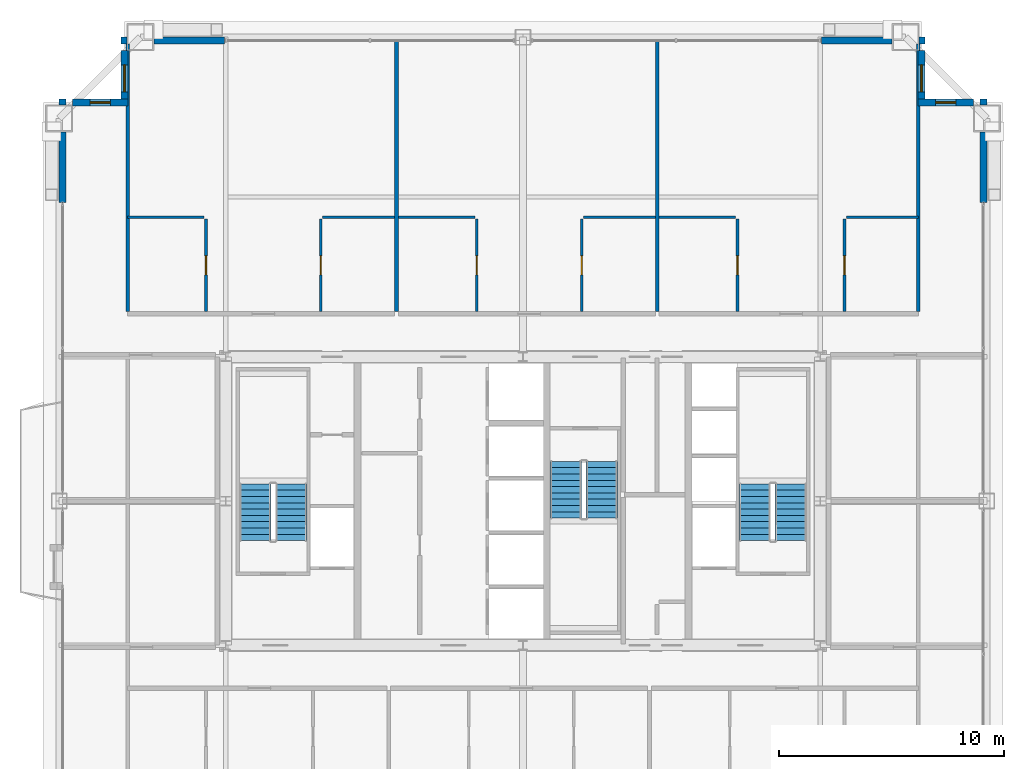
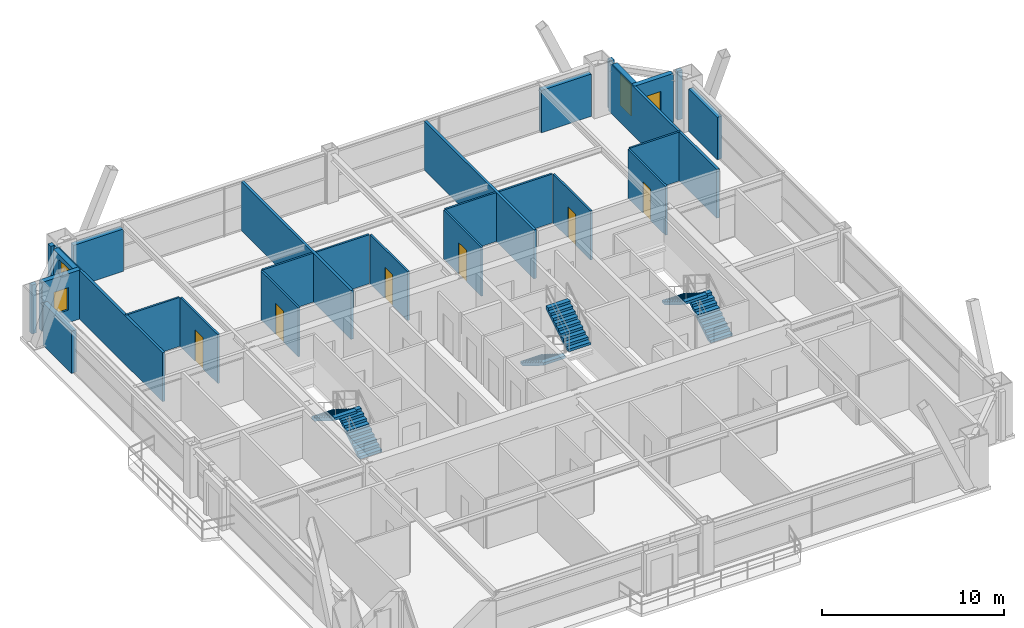
# One storey, part 32 of 33: 28 walls, 6 doors, 6 stair flights, 4 windows, 10 openings, 3 elements without a shape of their own.
"""IFC4 building model written with IfcOpenShell, lengths in metres."""

from ifc_helpers import new_model, si_unit, direction, frame, frame_2d, origin, place, context, subcontext, project, spatial, polyline, rectangle, outline, extrude, source, transform, mapped, material, layer, layer_set, type_object, element, fill, aggregate, save


model = new_model("IFC4")

# Units and contexts
model_context = context("Model", 3, precision=1e-05, world=origin(), true_north=direction((0.0, 1.0)))
body_context = subcontext(model_context, "Body", "Model", "MODEL_VIEW")
ifc_project = project(units=[si_unit("LENGTHUNIT", "METRE"), si_unit("AREAUNIT", "SQUARE_METRE"), si_unit("VOLUMEUNIT", "CUBIC_METRE"), si_unit("PLANEANGLEUNIT", "RADIAN"), si_unit("MASSUNIT", "GRAM", prefix="KILO"), si_unit("THERMODYNAMICTEMPERATUREUNIT", "KELVIN"), si_unit("POWERUNIT", "WATT")], contexts=[model_context])

# Site, building, storey
site_placement = place(None, origin())
site = spatial("IfcSite", under=ifc_project, at=site_placement, CompositionType="ELEMENT")
building_placement = place(site_placement, origin())
building = spatial("IfcBuilding", under=site, at=building_placement, Name="Yuzanri Waterfront Tower", CompositionType="ELEMENT")
storey_placement = place(building_placement, frame((0.0, 0.0, 234.60009765625)))
storey = spatial("IfcBuildingStorey", under=building, at=storey_placement, Name="L62", CompositionType="ELEMENT", Elevation=234.60009765625)

# Wall, opening, door
ifc_material_1 = material(Name="Moisture-Resistant Gypsum Stud Wall", Category="gypsum")
ifc_layer_1 = layer(ifc_material_1, 0.1201171875)
ifc_layer_set_1 = layer_set([ifc_layer_1], Name="Moisture-Resistant Gypsum Stud Wall")
wall_type_1 = type_object("IfcWallType", Name="Bathroom and Kitchen Wet Partition 120", PredefinedType="PARTITIONING", material=ifc_layer_set_1)
wall_1_placement = place(storey_placement, frame((22.919921875, 34.2099609375, 0.0), z_axis=(0.0, 0.0, 1.0), x_axis=(0.0, 1.0, 0.0)))
wall_1 = element("IfcWall", 1, at=wall_1_placement, inside=storey, type_object=wall_type_1, Name="L62 Partition UW-L62-RN1-SUB-1-E", PredefinedType="PARTITIONING", context=body_context, shape_type="SweptSolid", body=[
    extrude(rectangle(XDim=4.110107421875, YDim=0.1201171875, at=frame_2d((2.05517578125, 0.0))), origin(), (0.0, 0.0, 1.0), 3.27978515625),
])
opening_1_placement = place(wall_1_placement, frame((1.6298828125, 0.0, 0.0)))
opening_1 = element("IfcOpeningElement", 2, at=opening_1_placement, cuts=wall_1, Name="Opening ID-0850", PredefinedType="OPENING", context=body_context, shape_type="SweptSolid", body=[
    extrude(rectangle(XDim=0.85009765625, YDim=2.10009765625, at=frame_2d((0.425048828125, 1.050048828125))), frame((0.0, 0.074951171875, 0.0), z_axis=(0.0, -1.0, 0.0), x_axis=(1.0, 0.0, 0.0)), (0.0, 0.0, 1.0), 0.14990234375),
])
ifc_material_2 = material(Name="Moisture-Resistant Lacquered Timber", Category="wood")
door_type = type_object("IfcDoorType", Name="En-Suite Bathroom and Kitchen Swing Door 850x2100", OperationType="NOTDEFINED", PredefinedType="DOOR", material=ifc_material_2)
shared_shape_1 = source(origin(), body_context, "Body", "SweptSolid", [
    extrude(rectangle(XDim=0.85009765625, YDim=2.10009765625, at=frame_2d((0.425048828125, 1.050048828125))), frame((0.0, 0.02490234375, 0.0), z_axis=(0.0, -1.0, 0.0), x_axis=(1.0, 0.0, 0.0)), (0.0, 0.0, 1.0), 0.050048828125),
])
door_1_placement = place(opening_1_placement, origin())
door_1 = element("IfcDoor", 3, at=door_1_placement, inside=storey, type_object=door_type, Name="L62 Suite Interior Room Door", OperationType="SINGLE_SWING_RIGHT", OverallHeight=2.10009765625, OverallWidth=0.85009765625, PredefinedType="DOOR", context=body_context, shape_type="MappedRepresentation", body=[
    mapped(shared_shape_1, transform((0.0, 0.0, 0.0), scale=1.0)),
])
fill(opening_1, door_1)

wall_2_placement = place(storey_placement, frame((28.02099609375, 34.2099609375, 0.0), z_axis=(0.0, 0.0, 1.0), x_axis=(0.0, 1.0, 0.0)))
wall_2 = element("IfcWall", 4, at=wall_2_placement, inside=storey, type_object=wall_type_1, Name="L62 Partition UW-L62-RN1-SUB-2-W", PredefinedType="PARTITIONING", context=body_context, shape_type="SweptSolid", body=[
    extrude(rectangle(XDim=4.110107421875, YDim=0.1201171875, at=frame_2d((2.05517578125, 0.0))), origin(), (0.0, 0.0, 1.0), 3.27978515625),
])
opening_2_placement = place(wall_2_placement, frame((1.6298828125, 0.0, 0.0)))
opening_2 = element("IfcOpeningElement", 5, at=opening_2_placement, cuts=wall_2, Name="Opening ID-0850", PredefinedType="OPENING", context=body_context, shape_type="SweptSolid", body=[
    extrude(rectangle(XDim=0.85009765625, YDim=2.10009765625, at=frame_2d((0.425048828125, 1.050048828125))), frame((0.0, 0.074951171875, 0.0), z_axis=(0.0, -1.0, 0.0), x_axis=(1.0, 0.0, 0.0)), (0.0, 0.0, 1.0), 0.14990234375),
])
door_2_placement = place(opening_2_placement, origin())
door_2 = element("IfcDoor", 6, at=door_2_placement, inside=storey, type_object=door_type, Name="L62 Suite Interior Room Door", OperationType="SINGLE_SWING_LEFT", OverallHeight=2.10009765625, OverallWidth=0.85009765625, PredefinedType="DOOR", context=body_context, shape_type="MappedRepresentation", body=[
    mapped(shared_shape_1, transform((0.0, 0.0, 0.0), scale=1.0)),
])
fill(opening_2, door_2)

wall_3_placement = place(storey_placement, frame((34.94091796875, 34.2099609375, 0.0), z_axis=(0.0, 0.0, 1.0), x_axis=(0.0, 1.0, 0.0)))
wall_3 = element("IfcWall", 7, at=wall_3_placement, inside=storey, type_object=wall_type_1, Name="L62 Partition UW-L62-RN2-SUB-1-E", PredefinedType="PARTITIONING", context=body_context, shape_type="SweptSolid", body=[
    extrude(rectangle(XDim=4.110107421875, YDim=0.1201171875, at=frame_2d((2.05517578125, 0.0))), origin(), (0.0, 0.0, 1.0), 3.27978515625),
])
opening_3_placement = place(wall_3_placement, frame((1.6298828125, 0.0, 0.0)))
opening_3 = element("IfcOpeningElement", 8, at=opening_3_placement, cuts=wall_3, Name="Opening ID-0850", PredefinedType="OPENING", context=body_context, shape_type="SweptSolid", body=[
    extrude(rectangle(XDim=0.85009765625, YDim=2.10009765625, at=frame_2d((0.425048828125, 1.050048828125))), frame((0.0, 0.074951171875, 0.0), z_axis=(0.0, -1.0, 0.0), x_axis=(1.0, 0.0, 0.0)), (0.0, 0.0, 1.0), 0.14990234375),
])
door_3_placement = place(opening_3_placement, origin())
door_3 = element("IfcDoor", 9, at=door_3_placement, inside=storey, type_object=door_type, Name="L62 Suite Interior Room Door", OperationType="SINGLE_SWING_LEFT", OverallHeight=2.10009765625, OverallWidth=0.85009765625, PredefinedType="DOOR", context=body_context, shape_type="MappedRepresentation", body=[
    mapped(shared_shape_1, transform((0.0, 0.0, 0.0), scale=1.0)),
])
fill(opening_3, door_3)

wall_4_placement = place(storey_placement, frame((39.610107421875, 34.2099609375, 0.0), z_axis=(0.0, 0.0, 1.0), x_axis=(0.0, 1.0, 0.0)))
wall_4 = element("IfcWall", 10, at=wall_4_placement, inside=storey, type_object=wall_type_1, Name="L62 Partition UW-L62-RN2-SUB-2-W", PredefinedType="PARTITIONING", context=body_context, shape_type="SweptSolid", body=[
    extrude(rectangle(XDim=4.110107421875, YDim=0.1201171875, at=frame_2d((2.05517578125, 0.0))), origin(), (0.0, 0.0, 1.0), 3.27978515625),
])
opening_4_placement = place(wall_4_placement, frame((1.6298828125, 0.0, 0.0)))
opening_4 = element("IfcOpeningElement", 11, at=opening_4_placement, cuts=wall_4, Name="Opening ID-0850", PredefinedType="OPENING", context=body_context, shape_type="SweptSolid", body=[
    extrude(rectangle(XDim=0.85009765625, YDim=2.10009765625, at=frame_2d((0.425048828125, 1.050048828125))), frame((0.0, 0.074951171875, 0.0), z_axis=(0.0, -1.0, 0.0), x_axis=(1.0, 0.0, 0.0)), (0.0, 0.0, 1.0), 0.14990234375),
])
door_4_placement = place(opening_4_placement, origin())
door_4 = element("IfcDoor", 12, at=door_4_placement, inside=storey, type_object=door_type, Name="L62 Suite Interior Room Door", OperationType="SINGLE_SWING_RIGHT", OverallHeight=2.10009765625, OverallWidth=0.85009765625, PredefinedType="DOOR", context=body_context, shape_type="MappedRepresentation", body=[
    mapped(shared_shape_1, transform((0.0, 0.0, 0.0), scale=1.0)),
])
fill(opening_4, door_4)

wall_5_placement = place(storey_placement, frame((46.530029296875, 34.2099609375, 0.0), z_axis=(0.0, 0.0, 1.0), x_axis=(0.0, 1.0, 0.0)))
wall_5 = element("IfcWall", 13, at=wall_5_placement, inside=storey, type_object=wall_type_1, Name="L62 Partition UW-L62-RN3-SUB-1-E", PredefinedType="PARTITIONING", context=body_context, shape_type="SweptSolid", body=[
    extrude(rectangle(XDim=4.110107421875, YDim=0.1201171875, at=frame_2d((2.05517578125, 0.0))), origin(), (0.0, 0.0, 1.0), 3.27978515625),
])
opening_5_placement = place(wall_5_placement, frame((1.6298828125, 0.0, 0.0)))
opening_5 = element("IfcOpeningElement", 14, at=opening_5_placement, cuts=wall_5, Name="Opening ID-0850", PredefinedType="OPENING", context=body_context, shape_type="SweptSolid", body=[
    extrude(rectangle(XDim=0.85009765625, YDim=2.10009765625, at=frame_2d((0.425048828125, 1.050048828125))), frame((0.0, 0.074951171875, 0.0), z_axis=(0.0, -1.0, 0.0), x_axis=(1.0, 0.0, 0.0)), (0.0, 0.0, 1.0), 0.14990234375),
])
door_5_placement = place(opening_5_placement, origin())
door_5 = element("IfcDoor", 15, at=door_5_placement, inside=storey, type_object=door_type, Name="L62 Suite Interior Room Door", OperationType="SINGLE_SWING_RIGHT", OverallHeight=2.10009765625, OverallWidth=0.85009765625, PredefinedType="DOOR", context=body_context, shape_type="MappedRepresentation", body=[
    mapped(shared_shape_1, transform((0.0, 0.0, 0.0), scale=1.0)),
])
fill(opening_5, door_5)

wall_6_placement = place(storey_placement, frame((51.280029296875, 34.2099609375, 0.0), z_axis=(0.0, 0.0, 1.0), x_axis=(0.0, 1.0, 0.0)))
wall_6 = element("IfcWall", 16, at=wall_6_placement, inside=storey, type_object=wall_type_1, Name="L62 Partition UW-L62-RN3-SUB-2-W", PredefinedType="PARTITIONING", context=body_context, shape_type="SweptSolid", body=[
    extrude(rectangle(XDim=4.110107421875, YDim=0.1201171875, at=frame_2d((2.05517578125, 0.0))), origin(), (0.0, 0.0, 1.0), 3.27978515625),
])
opening_6_placement = place(wall_6_placement, frame((1.6298828125, 0.0, 0.0)))
opening_6 = element("IfcOpeningElement", 17, at=opening_6_placement, cuts=wall_6, Name="Opening ID-0850", PredefinedType="OPENING", context=body_context, shape_type="SweptSolid", body=[
    extrude(rectangle(XDim=0.85009765625, YDim=2.10009765625, at=frame_2d((0.425048828125, 1.050048828125))), frame((0.0, 0.074951171875, 0.0), z_axis=(0.0, -1.0, 0.0), x_axis=(1.0, 0.0, 0.0)), (0.0, 0.0, 1.0), 0.14990234375),
])
door_6_placement = place(opening_6_placement, origin())
door_6 = element("IfcDoor", 18, at=door_6_placement, inside=storey, type_object=door_type, Name="L62 Suite Interior Room Door", OperationType="SINGLE_SWING_LEFT", OverallHeight=2.10009765625, OverallWidth=0.85009765625, PredefinedType="DOOR", context=body_context, shape_type="MappedRepresentation", body=[
    mapped(shared_shape_1, transform((0.0, 0.0, 0.0), scale=1.0)),
])
fill(opening_6, door_6)

# Wall, opening, window
ifc_material_3 = material(Name="Honed Chongqing Dark Basalt Stone", Category="masonry")
ifc_layer_2 = layer(ifc_material_3, 0.300048828125)
ifc_layer_set_2 = layer_set([ifc_layer_2], Name="Honed Chongqing Dark Basalt Stone")
wall_type_2 = type_object("IfcWallType", Name="Bronze Rainscreen Insulated Spandrel Portal Wall 300", PredefinedType="SOLIDWALL", material=ifc_layer_set_2)
wall_7_placement = place(storey_placement, frame((19.449951171875, 43.5, 0.0), z_axis=(0.0, 0.0, 1.0), x_axis=(-1.0, 0.0, 0.0)))
wall_7 = element("IfcWall", 19, at=wall_7_placement, inside=storey, type_object=wall_type_2, Name="L62 Notched Corner Masonry Wall NW-X", PredefinedType="SOLIDWALL", context=body_context, shape_type="SweptSolid", body=[
    extrude(rectangle(XDim=2.449951171875, YDim=0.300048828125, at=frame_2d((1.22509765625, 0.0))), origin(), (0.0, 0.0, 1.0), 3.27978515625),
])
opening_7_placement = place(wall_7_placement, frame((0.77490234375, 0.0, 0.85009765625)))
opening_7 = element("IfcOpeningElement", 20, at=opening_7_placement, cuts=wall_7, Name="Opening WN-05", PredefinedType="OPENING", context=body_context, shape_type="SweptSolid", body=[
    extrude(rectangle(XDim=0.89990234375, YDim=1.5, at=frame_2d((0.449951171875, 0.75))), frame((0.0, 0.1650390625, 0.0), z_axis=(0.0, -1.0, 0.0), x_axis=(1.0, 0.0, 0.0)), (0.0, 0.0, 1.0), 0.329833984375),
])
ifc_material_4 = material(Name="Double-Silver Low-E Insulated Glass", Category="glass")
window_type_1 = type_object("IfcWindowType", Name="Anodized Bronze Service and Stairwell Smoke-Vent Window 900x1500", PartitioningType="SINGLE_PANEL", PredefinedType="WINDOW", material=ifc_material_4)
shared_shape_2 = source(origin(), body_context, "Body", "SweptSolid", [
    extrude(rectangle(XDim=0.89990234375, YDim=1.5, at=frame_2d((0.449951171875, 0.75))), frame((0.0, 0.030029296875, 0.0), z_axis=(0.0, -1.0, 0.0), x_axis=(1.0, 0.0, 0.0)), (0.0, 0.0, 1.0), 0.06005859375),
])
window_1_placement = place(opening_7_placement, origin())
window_1 = element("IfcWindow", 21, at=window_1_placement, inside=storey, type_object=window_type_1, Name="L62 Notched Corner Window NW-X", OverallHeight=1.5, OverallWidth=0.89990234375, PartitioningType="SINGLE_PANEL", PredefinedType="WINDOW", context=body_context, shape_type="MappedRepresentation", body=[
    mapped(shared_shape_2, transform((0.0, 0.0, 0.0), scale=1.0)),
])
fill(opening_7, window_1)

wall_8_placement = place(storey_placement, frame((19.300048828125, 45.800048828125, 0.0), z_axis=(0.0, 0.0, 1.0), x_axis=(0.0, -1.0, 0.0)))
wall_8 = element("IfcWall", 22, at=wall_8_placement, inside=storey, type_object=wall_type_2, Name="L62 Notched Corner Masonry Wall NW-Y", PredefinedType="SOLIDWALL", context=body_context, shape_type="SweptSolid", body=[
    extrude(rectangle(XDim=2.449951171875, YDim=0.300048828125, at=frame_2d((1.22509765625, 0.0))), origin(), (0.0, 0.0, 1.0), 3.27978515625),
])
opening_8_placement = place(wall_8_placement, frame((0.625, 0.0, 0.85009765625)))
opening_8 = element("IfcOpeningElement", 23, at=opening_8_placement, cuts=wall_8, Name="Opening WN-02", PredefinedType="OPENING", context=body_context, shape_type="SweptSolid", body=[
    extrude(rectangle(XDim=1.199951171875, YDim=2.10009765625, at=frame_2d((0.60009765625, 1.050048828125))), frame((0.0, 0.1650390625, 0.0), z_axis=(0.0, -1.0, 0.0), x_axis=(1.0, 0.0, 0.0)), (0.0, 0.0, 1.0), 0.329833984375),
])
ifc_material_5 = material(Name="Double-Silver Low-E Insulated Glass", Category="glass")
window_type_2 = type_object("IfcWindowType", Name="Anodized Bronze Notched Corner Deep-Set Slot Window 1200x2100", PartitioningType="SINGLE_PANEL", PredefinedType="WINDOW", material=ifc_material_5)
shared_shape_3 = source(origin(), body_context, "Body", "SweptSolid", [
    extrude(rectangle(XDim=1.199951171875, YDim=2.10009765625, at=frame_2d((0.60009765625, 1.050048828125))), frame((0.0, 0.030029296875, 0.0), z_axis=(0.0, -1.0, 0.0), x_axis=(1.0, 0.0, 0.0)), (0.0, 0.0, 1.0), 0.06005859375),
])
window_2_placement = place(opening_8_placement, origin())
window_2 = element("IfcWindow", 24, at=window_2_placement, inside=storey, type_object=window_type_2, Name="L62 Notched Corner Window NW-Y", OverallHeight=2.10009765625, OverallWidth=1.199951171875, PartitioningType="SINGLE_PANEL", PredefinedType="WINDOW", context=body_context, shape_type="MappedRepresentation", body=[
    mapped(shared_shape_3, transform((0.0, 0.0, 0.0), scale=1.0)),
])
fill(opening_8, window_2)

wall_9_placement = place(storey_placement, frame((57.0, 43.5, 0.0), z_axis=(0.0, 0.0, 1.0), x_axis=(-1.0, 0.0, 0.0)))
wall_9 = element("IfcWall", 25, at=wall_9_placement, inside=storey, type_object=wall_type_2, Name="L62 Notched Corner Masonry Wall NE-X", PredefinedType="SOLIDWALL", context=body_context, shape_type="SweptSolid", body=[
    extrude(rectangle(XDim=2.449951171875, YDim=0.300048828125, at=frame_2d((1.22509765625, 0.0))), origin(), (0.0, 0.0, 1.0), 3.27978515625),
])
opening_9_placement = place(wall_9_placement, frame((0.77490234375, 0.0, 0.85009765625)))
opening_9 = element("IfcOpeningElement", 26, at=opening_9_placement, cuts=wall_9, Name="Opening WN-05", PredefinedType="OPENING", context=body_context, shape_type="SweptSolid", body=[
    extrude(rectangle(XDim=0.89990234375, YDim=1.5, at=frame_2d((0.449951171875, 0.75))), frame((0.0, 0.1650390625, 0.0), z_axis=(0.0, -1.0, 0.0), x_axis=(1.0, 0.0, 0.0)), (0.0, 0.0, 1.0), 0.329833984375),
])
window_3_placement = place(opening_9_placement, origin())
window_3 = element("IfcWindow", 27, at=window_3_placement, inside=storey, type_object=window_type_1, Name="L62 Notched Corner Window NE-X", OverallHeight=1.5, OverallWidth=0.89990234375, PartitioningType="SINGLE_PANEL", PredefinedType="WINDOW", context=body_context, shape_type="MappedRepresentation", body=[
    mapped(shared_shape_2, transform((0.0, 0.0, 0.0), scale=1.0)),
])
fill(opening_9, window_3)

wall_10_placement = place(storey_placement, frame((54.699951171875, 43.35009765625, 0.0), z_axis=(0.0, 0.0, 1.0), x_axis=(0.0, 1.0, 0.0)))
wall_10 = element("IfcWall", 28, at=wall_10_placement, inside=storey, type_object=wall_type_2, Name="L62 Notched Corner Masonry Wall NE-Y", PredefinedType="SOLIDWALL", context=body_context, shape_type="SweptSolid", body=[
    extrude(rectangle(XDim=2.449951171875, YDim=0.300048828125, at=frame_2d((1.22509765625, 0.0))), origin(), (0.0, 0.0, 1.0), 3.27978515625),
])
opening_10_placement = place(wall_10_placement, frame((0.625, 0.0, 0.85009765625)))
opening_10 = element("IfcOpeningElement", 29, at=opening_10_placement, cuts=wall_10, Name="Opening WN-02", PredefinedType="OPENING", context=body_context, shape_type="SweptSolid", body=[
    extrude(rectangle(XDim=1.199951171875, YDim=2.10009765625, at=frame_2d((0.60009765625, 1.050048828125))), frame((0.0, 0.1650390625, 0.0), z_axis=(0.0, -1.0, 0.0), x_axis=(1.0, 0.0, 0.0)), (0.0, 0.0, 1.0), 0.329833984375),
])
window_4_placement = place(opening_10_placement, origin())
window_4 = element("IfcWindow", 30, at=window_4_placement, inside=storey, type_object=window_type_2, Name="L62 Notched Corner Window NE-Y", OverallHeight=2.10009765625, OverallWidth=1.199951171875, PartitioningType="SINGLE_PANEL", PredefinedType="WINDOW", context=body_context, shape_type="MappedRepresentation", body=[
    mapped(shared_shape_3, transform((0.0, 0.0, 0.0), scale=1.0)),
])
fill(opening_10, window_4)

# Walls
shared_shape_4 = source(origin(), body_context, "Body", "SweptSolid", [
    extrude(rectangle(XDim=0.25, YDim=0.300048828125, at=frame_2d((0.125, 0.0))), origin(), (0.0, 0.0, 1.0), 3.27978515625),
])
for number, where, z_axis, x_axis, name in (
    (31, (19.14990234375, 46.25, 0.0), (0.0, 0.0, 1.0), (1.0, 0.0, 0.0), "L62 Corner Column Shoulder Return CNW"),
    (32, (54.60009765625, 46.25, 0.0), (0.0, 0.0, 1.0), (1.0, 0.0, 0.0), "L62 Corner Column Shoulder Return CNE"),
    (33, (16.550048828125, 43.39990234375, 0.0), (0.0, 0.0, 1.0), (0.0, 1.0, 0.0), "L62 Corner Column Shoulder Return CWN"),
    (34, (57.449951171875, 43.39990234375, 0.0), (0.0, 0.0, 1.0), (0.0, 1.0, 0.0), "L62 Corner Column Shoulder Return CEN"),
):
    element("IfcWall", number, at=place(storey_placement, frame(where, z_axis=z_axis, x_axis=x_axis)), inside=storey, type_object=wall_type_2, Name=name, PredefinedType="SOLIDWALL", context=body_context, shape_type="MappedRepresentation", body=[
        mapped(shared_shape_4, transform((0.0, 0.0, 0.0), scale=1.0)),
    ])
shared_shape_5 = source(origin(), body_context, "Body", "SweptSolid", [
    extrude(rectangle(XDim=3.14990234375, YDim=0.300048828125, at=frame_2d((1.574951171875, 0.0))), origin(), (0.0, 0.0, 1.0), 2.8349609375),
])
for number, where, z_axis, x_axis, name in (
    (35, (20.60009765625, 46.25, 0.0), (0.0, 0.0, 1.0), (1.0, 0.0, 0.0), "L62 N Left Braced Masonry Shoulder"),
    (36, (50.25, 46.25, 0.0), (0.0, 0.0, 1.0), (1.0, 0.0, 0.0), "L62 N Right Braced Masonry Shoulder"),
    (37, (16.550048828125, 39.050048828125, 0.0), (0.0, 0.0, 1.0), (0.0, 1.0, 0.0), "L62 W Right Braced Masonry Shoulder"),
    (38, (57.449951171875, 39.050048828125, 0.0), (0.0, 0.0, 1.0), (0.0, 1.0, 0.0), "L62 E Right Braced Masonry Shoulder"),
):
    element("IfcWall", number, at=place(storey_placement, frame(where, z_axis=z_axis, x_axis=x_axis)), inside=storey, type_object=wall_type_2, Name=name, PredefinedType="SOLIDWALL", context=body_context, shape_type="MappedRepresentation", body=[
        mapped(shared_shape_5, transform((0.0, 0.0, 0.0), scale=1.0)),
    ])
shared_shape_6 = source(origin(), body_context, "Body", "SweptSolid", [
    extrude(rectangle(XDim=3.400146484375, YDim=0.1201171875, at=frame_2d((1.7001953125, 0.0))), origin(), (0.0, 0.0, 1.0), 3.27978515625),
])
for number, where, z_axis, x_axis, name in (
    (39, (19.43994140625, 38.39990234375, 0.0), (0.0, 0.0, 1.0), (1.0, 0.0, 0.0), "L62 Partition UW-L62-RN1-SUB-1-N"),
    (40, (31.4609375, 38.39990234375, 0.0), (0.0, 0.0, 1.0), (1.0, 0.0, 0.0), "L62 Partition UW-L62-RN2-SUB-1-N"),
):
    element("IfcWall", number, at=place(storey_placement, frame(where, z_axis=z_axis, x_axis=x_axis)), inside=storey, type_object=wall_type_1, Name=name, PredefinedType="PARTITIONING", context=body_context, shape_type="MappedRepresentation", body=[
        mapped(shared_shape_6, transform((0.0, 0.0, 0.0), scale=1.0)),
    ])
shared_shape_7 = source(origin(), body_context, "Body", "SweptSolid", [
    extrude(rectangle(XDim=3.199951171875, YDim=0.1201171875, at=frame_2d((1.60009765625, 0.0))), origin(), (0.0, 0.0, 1.0), 3.27978515625),
])
for number, where, z_axis, x_axis, name in (
    (41, (28.10107421875, 38.39990234375, 0.0), (0.0, 0.0, 1.0), (1.0, 0.0, 0.0), "L62 Partition UW-L62-RN1-SUB-2-N"),
    (42, (39.68994140625, 38.39990234375, 0.0), (0.0, 0.0, 1.0), (1.0, 0.0, 0.0), "L62 Partition UW-L62-RN2-SUB-2-N"),
    (43, (51.360107421875, 38.39990234375, 0.0), (0.0, 0.0, 1.0), (1.0, 0.0, 0.0), "L62 Partition UW-L62-RN3-SUB-2-N"),
):
    element("IfcWall", number, at=place(storey_placement, frame(where, z_axis=z_axis, x_axis=x_axis)), inside=storey, type_object=wall_type_1, Name=name, PredefinedType="PARTITIONING", context=body_context, shape_type="MappedRepresentation", body=[
        mapped(shared_shape_7, transform((0.0, 0.0, 0.0), scale=1.0)),
    ])
ifc_material_6 = material(Name="Gypsum Fireboard Acoustic Stud Wall", Category="gypsum")
ifc_layer_3 = layer(ifc_material_6, 0.159912109375)
ifc_layer_set_3 = layer_set([ifc_layer_3], Name="Gypsum Fireboard Acoustic Stud Wall")
wall_type_3 = type_object("IfcWallType", Name="Acoustic Suite Demising Partition 160", PredefinedType="PARTITIONING", material=ifc_layer_set_3)
shared_shape_8 = source(origin(), body_context, "Body", "SweptSolid", [
    extrude(rectangle(XDim=11.89013671875, YDim=0.159912109375, at=frame_2d((5.945068359375, 0.0))), origin(), (0.0, 0.0, 1.0), 3.27978515625),
])
for number, where, z_axis, x_axis, name in (
    (44, (19.449951171875, 34.2099609375, 0.0), (0.0, 0.0, 1.0), (0.0, 1.0, 0.0), "L62 North Band West End Wall"),
    (45, (54.550048828125, 34.2099609375, 0.0), (0.0, 0.0, 1.0), (0.0, 1.0, 0.0), "L62 North Band East End Wall"),
):
    element("IfcWall", number, at=place(storey_placement, frame(where, z_axis=z_axis, x_axis=x_axis)), inside=storey, type_object=wall_type_3, Name=name, PredefinedType="PARTITIONING", context=body_context, shape_type="MappedRepresentation", body=[
        mapped(shared_shape_8, transform((0.0, 0.0, 0.0), scale=1.0)),
    ])
shared_shape_9 = source(origin(), body_context, "Body", "SweptSolid", [
    extrude(rectangle(XDim=3.39990234375, YDim=0.1201171875, at=frame_2d((1.699951171875, 0.0))), origin(), (0.0, 0.0, 1.0), 3.27978515625),
])
wall_11_placement = place(storey_placement, frame((43.050048828125, 38.39990234375, 0.0), z_axis=(0.0, 0.0, 1.0), x_axis=(1.0, 0.0, 0.0)))
element("IfcWall", 46, at=wall_11_placement, inside=storey, type_object=wall_type_1, Name="L62 Partition UW-L62-RN3-SUB-1-N", PredefinedType="PARTITIONING", context=body_context, shape_type="MappedRepresentation", body=[
    mapped(shared_shape_9, transform((0.0, 0.0, 0.0), scale=1.0)),
])
shared_shape_10 = source(origin(), body_context, "Body", "SweptSolid", [
    extrude(rectangle(XDim=12.0400390625, YDim=0.159912109375, at=frame_2d((6.02001953125, 0.0))), origin(), (0.0, 0.0, 1.0), 3.27978515625),
])
for number, where, z_axis, x_axis, name in (
    (47, (31.381103515625, 34.2099609375, 0.0), (0.0, 0.0, 1.0), (0.0, 1.0, 0.0), "L62-RN1 Party Wall"),
    (48, (42.969970703125, 34.2099609375, 0.0), (0.0, 0.0, 1.0), (0.0, 1.0, 0.0), "L62-RN2 Party Wall"),
):
    element("IfcWall", number, at=place(storey_placement, frame(where, z_axis=z_axis, x_axis=x_axis)), inside=storey, type_object=wall_type_3, Name=name, PredefinedType="PARTITIONING", context=body_context, shape_type="MappedRepresentation", body=[
        mapped(shared_shape_10, transform((0.0, 0.0, 0.0), scale=1.0)),
    ])

# Stair, stair flights
ifc_material_7 = material(Name="Concrete C40", Category="concrete")
stair_type = type_object("IfcStairType", Name="Concrete C40 Core Dogleg Exit Stair", PredefinedType="HALF_TURN_STAIR", material=ifc_material_7)
stair_1_placement = place(storey_placement, origin())
stair_1 = element("IfcStair", 49, at=stair_1_placement, inside=storey, type_object=stair_type, Name="L62 Smoke-Proof Core Stair ST-01", PredefinedType="HALF_TURN_STAIR")
ifc_material_8 = material(Name="Concrete C40", Category="concrete")
stair_flight_type = type_object("IfcStairFlightType", Name="Concrete C40 Precast Stair Flight 1380", PredefinedType="STRAIGHT", material=ifc_material_8)
shared_shape_11 = source(origin(), body_context, "Body", "SweptSolid", [
    extrude(outline(polyline([(0.0, 0.0), (0.0, 0.175048828125), (0.280029296875, 0.175048828125), (0.280029296875, 0.35009765625), (0.56005859375, 0.35009765625), (0.56005859375, 0.52490234375), (0.840087890625, 0.52490234375), (0.840087890625, 0.699951171875), (1.1201171875, 0.699951171875), (1.1201171875, 0.875), (1.39990234375, 0.875), (1.39990234375, 1.050048828125), (1.679931640625, 1.050048828125), (1.679931640625, 1.22509765625), (1.9599609375, 1.22509765625), (1.9599609375, 1.39990234375), (2.239990234375, 1.39990234375), (2.239990234375, 1.574951171875), (2.52001953125, 1.574951171875), (2.52001953125, 1.75), (2.52001953125, 1.398193359375), (0.28271484375, 0.0), (0.0, 0.0)])), frame((0.0, 0.699951171875, 0.0), z_axis=(0.0, -1.0, 0.0), x_axis=(1.0, 0.0, 0.0)), (0.0, 0.0, 1.0), 1.39990234375),
])
stair_flight_1_placement = place(storey_placement, frame((26.699951171875, 24.0400390625, 0.0), z_axis=(0.0, 0.0, 1.0), x_axis=(0.0, 1.0, 0.0)))
stair_flight_1 = element("IfcStairFlight", 50, at=stair_flight_1_placement, type_object=stair_flight_type, Name="ST-01 flight 1", NumberOfRisers=10, NumberOfTreads=9, PredefinedType="STRAIGHT", RiserHeight=0.175, TreadLength=0.28, context=body_context, shape_type="MappedRepresentation", body=[
    mapped(shared_shape_11, transform((0.0, 0.0, 0.0), scale=1.0)),
])
stair_flight_2_placement = place(storey_placement, frame((25.10009765625, 26.56005859375, 1.75), z_axis=(0.0, 0.0, 1.0), x_axis=(0.0, -1.0, 0.0)))
stair_flight_2 = element("IfcStairFlight", 51, at=stair_flight_2_placement, type_object=stair_flight_type, Name="ST-01 flight 2", NumberOfRisers=10, NumberOfTreads=9, PredefinedType="STRAIGHT", RiserHeight=0.175, TreadLength=0.28, context=body_context, shape_type="MappedRepresentation", body=[
    mapped(shared_shape_11, transform((0.0, 0.0, 0.0), scale=1.0)),
])
aggregate(stair_1, [stair_flight_1, stair_flight_2])

stair_2_placement = place(storey_placement, origin())
stair_2 = element("IfcStair", 52, at=stair_2_placement, inside=storey, type_object=stair_type, Name="L62 Smoke-Proof Core Stair ST-02", PredefinedType="HALF_TURN_STAIR")
stair_flight_3_placement = place(storey_placement, frame((48.89990234375, 24.0400390625, 0.0), z_axis=(0.0, 0.0, 1.0), x_axis=(0.0, 1.0, 0.0)))
stair_flight_3 = element("IfcStairFlight", 53, at=stair_flight_3_placement, type_object=stair_flight_type, Name="ST-02 flight 1", NumberOfRisers=10, NumberOfTreads=9, PredefinedType="STRAIGHT", RiserHeight=0.175, TreadLength=0.28, context=body_context, shape_type="MappedRepresentation", body=[
    mapped(shared_shape_11, transform((0.0, 0.0, 0.0), scale=1.0)),
])
stair_flight_4_placement = place(storey_placement, frame((47.300048828125, 26.56005859375, 1.75), z_axis=(0.0, 0.0, 1.0), x_axis=(0.0, -1.0, 0.0)))
stair_flight_4 = element("IfcStairFlight", 54, at=stair_flight_4_placement, type_object=stair_flight_type, Name="ST-02 flight 2", NumberOfRisers=10, NumberOfTreads=9, PredefinedType="STRAIGHT", RiserHeight=0.175, TreadLength=0.28, context=body_context, shape_type="MappedRepresentation", body=[
    mapped(shared_shape_11, transform((0.0, 0.0, 0.0), scale=1.0)),
])
aggregate(stair_2, [stair_flight_3, stair_flight_4])

stair_3_placement = place(storey_placement, origin())
stair_3 = element("IfcStair", 55, at=stair_3_placement, inside=storey, type_object=stair_type, Name="L62 Smoke-Proof Core Stair ST-03", PredefinedType="HALF_TURN_STAIR")
stair_flight_5_placement = place(storey_placement, frame((38.89990234375, 27.56005859375, 0.0), z_axis=(0.0, 0.0, 1.0), x_axis=(0.0, -1.0, 0.0)))
stair_flight_5 = element("IfcStairFlight", 56, at=stair_flight_5_placement, type_object=stair_flight_type, Name="ST-03 flight 1", NumberOfRisers=10, NumberOfTreads=9, PredefinedType="STRAIGHT", RiserHeight=0.175, TreadLength=0.28, context=body_context, shape_type="MappedRepresentation", body=[
    mapped(shared_shape_11, transform((0.0, 0.0, 0.0), scale=1.0)),
])
stair_flight_6_placement = place(storey_placement, frame((40.5, 25.0400390625, 1.75), z_axis=(0.0, 0.0, 1.0), x_axis=(0.0, 1.0, 0.0)))
stair_flight_6 = element("IfcStairFlight", 57, at=stair_flight_6_placement, type_object=stair_flight_type, Name="ST-03 flight 2", NumberOfRisers=10, NumberOfTreads=9, PredefinedType="STRAIGHT", RiserHeight=0.175, TreadLength=0.28, context=body_context, shape_type="MappedRepresentation", body=[
    mapped(shared_shape_11, transform((0.0, 0.0, 0.0), scale=1.0)),
])
aggregate(stair_3, [stair_flight_5, stair_flight_6])

save(model, "model.ifc")
